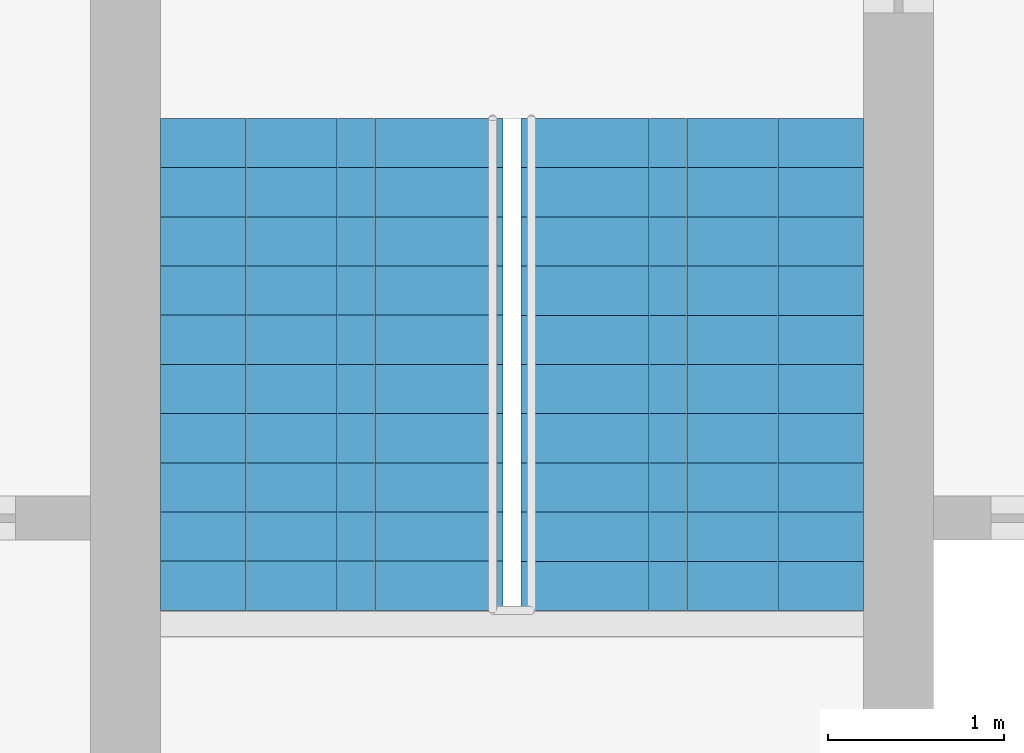
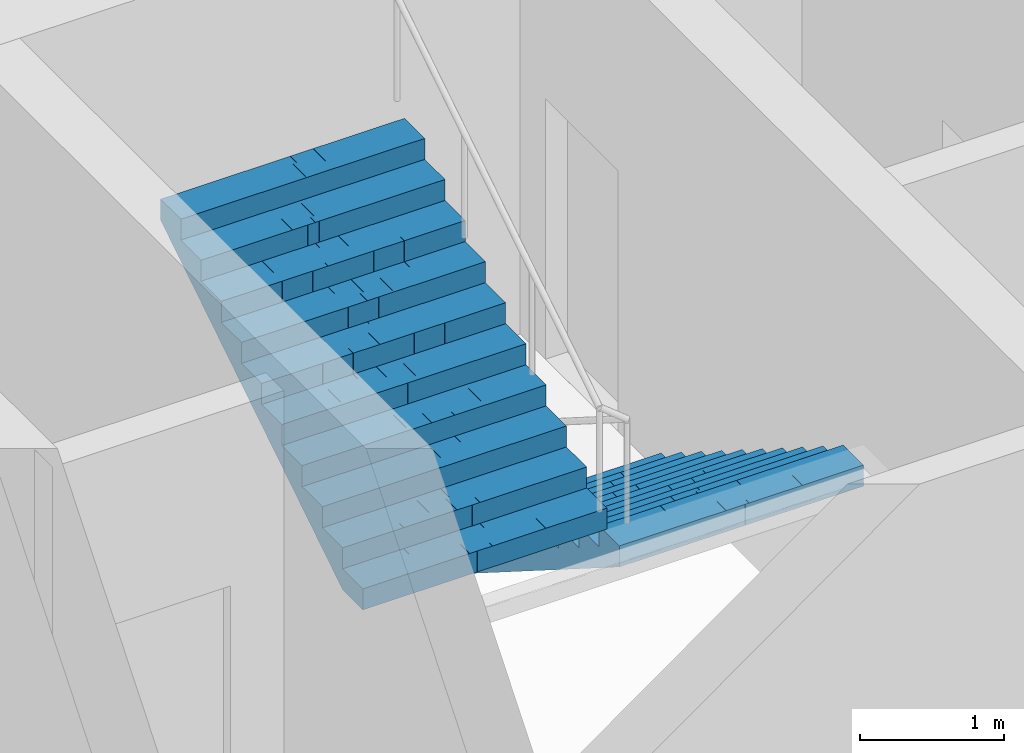
# One storey, part 21 of 22: 2 stair flights, 1 element without a shape of its own.
"""IFC4 building model written with IfcOpenShell, lengths in metres."""

from ifc_helpers import new_model, si_unit, direction, frame, origin, place, context, subcontext, project, spatial, polyline, outline, extrude, material, type_object, element, aggregate, save


model = new_model("IFC4")

# Units and contexts
model_context = context("Model", 3, precision=1e-05, world=origin(), true_north=direction((0.0, 1.0)))
body_context = subcontext(model_context, "Body", "Model", "MODEL_VIEW")
ifc_project = project(units=[si_unit("LENGTHUNIT", "METRE"), si_unit("AREAUNIT", "SQUARE_METRE"), si_unit("VOLUMEUNIT", "CUBIC_METRE"), si_unit("PLANEANGLEUNIT", "RADIAN"), si_unit("MASSUNIT", "GRAM", prefix="KILO")], contexts=[model_context])

# Site, building, storey
site_placement = place(None, origin())
site = spatial("IfcSite", under=ifc_project, at=site_placement, CompositionType="ELEMENT")
building_placement = place(site_placement, origin())
building = spatial("IfcBuilding", under=site, at=building_placement, Name="Mizan Broadcast Tower", CompositionType="ELEMENT")
storey_placement = place(building_placement, frame((0.0, 0.0, 86.39990234375)))
storey = spatial("IfcBuildingStorey", under=building, at=storey_placement, Name="L18", CompositionType="ELEMENT", Elevation=86.39990234375)

# Stair, stair flights
ifc_material_1 = material(Name="Concrete C40/50", Category="concrete")
stair_type = type_object("IfcStairType", Name="EXIT STAIR", PredefinedType="HALF_TURN_STAIR", material=ifc_material_1)
stair_placement = place(storey_placement, origin())
stair = element("IfcStair", 1, at=stair_placement, inside=storey, type_object=stair_type, Name="Stair B L18", PredefinedType="HALF_TURN_STAIR")
ifc_material_2 = material(Name="Concrete C40/50", Category="concrete")
stair_flight_type = type_object("IfcStairFlightType", Name="EXIT STAIR FLIGHT", PredefinedType="STRAIGHT", material=ifc_material_2)
stair_flight_1_placement = place(storey_placement, frame((1.02490234375, 7.89990234375, 0.0), z_axis=(0.0, 0.0, 1.0), x_axis=(0.0, -1.0, 0.0)))
stair_flight_1 = element("IfcStairFlight", 2, at=stair_flight_1_placement, type_object=stair_flight_type, Name="B flight 1", NumberOfRisers=11, NumberOfTreads=10, PredefinedType="STRAIGHT", RiserHeight=0.177272727, TreadLength=0.28, context=body_context, shape_type="SweptSolid", body=[
    extrude(outline(polyline([(0.0, 0.0), (0.0, 0.17724609375), (0.280029296875, 0.17724609375), (0.280029296875, 0.3544921875), (0.56005859375, 0.3544921875), (0.56005859375, 0.53173828125), (0.840087890625, 0.53173828125), (0.840087890625, 0.708984375), (1.1201171875, 0.708984375), (1.1201171875, 0.886474609375), (1.39990234375, 0.886474609375), (1.39990234375, 1.063720703125), (1.679931640625, 1.063720703125), (1.679931640625, 1.240966796875), (1.9599609375, 1.240966796875), (1.9599609375, 1.418212890625), (2.239990234375, 1.418212890625), (2.239990234375, 1.595458984375), (2.52001953125, 1.595458984375), (2.52001953125, 1.772705078125), (2.800048828125, 1.772705078125), (2.800048828125, 1.949951171875), (2.800048828125, 1.59521484375), (0.2802734375, 0.0), (0.0, 0.0)])), frame((0.0, 0.97509765625, 0.0), z_axis=(0.0, -1.0, 0.0), x_axis=(1.0, 0.0, 0.0)), (0.0, 0.0, 1.0), 0.4873046875),
    extrude(outline(polyline([(0.0, 0.0), (0.0, 0.17724609375), (0.280029296875, 0.17724609375), (0.280029296875, 0.3544921875), (0.56005859375, 0.3544921875), (0.56005859375, 0.53173828125), (0.840087890625, 0.53173828125), (0.840087890625, 0.708984375), (1.1201171875, 0.708984375), (1.1201171875, 0.886474609375), (1.39990234375, 0.886474609375), (1.39990234375, 1.063720703125), (1.679931640625, 1.063720703125), (1.679931640625, 1.240966796875), (1.9599609375, 1.240966796875), (1.9599609375, 1.418212890625), (2.239990234375, 1.418212890625), (2.239990234375, 1.595458984375), (2.52001953125, 1.595458984375), (2.52001953125, 1.772705078125), (2.800048828125, 1.772705078125), (2.800048828125, 1.949951171875), (2.800048828125, 1.59521484375), (0.2802734375, 0.0), (0.0, 0.0)])), frame((0.0, 0.4873046875, 0.0), z_axis=(0.0, -1.0, 0.0), x_axis=(1.0, 0.0, 0.0)), (0.0, 0.0, 1.0), 0.2431640625),
    extrude(outline(polyline([(0.0, 0.0), (0.0, 0.17724609375), (0.280029296875, 0.17724609375), (0.280029296875, 0.3544921875), (0.56005859375, 0.3544921875), (0.56005859375, 0.53173828125), (0.840087890625, 0.53173828125), (0.840087890625, 0.708984375), (1.1201171875, 0.708984375), (1.1201171875, 0.886474609375), (1.39990234375, 0.886474609375), (1.39990234375, 1.063720703125), (1.679931640625, 1.063720703125), (1.679931640625, 1.240966796875), (1.9599609375, 1.240966796875), (1.9599609375, 1.418212890625), (2.239990234375, 1.418212890625), (2.239990234375, 1.595458984375), (2.52001953125, 1.595458984375), (2.52001953125, 1.772705078125), (2.800048828125, 1.772705078125), (2.800048828125, 1.949951171875), (2.800048828125, 1.59521484375), (0.2802734375, 0.0), (0.0, 0.0)])), frame((0.0, 0.24365234375, 0.0), z_axis=(0.0, -1.0, 0.0), x_axis=(1.0, 0.0, 0.0)), (0.0, 0.0, 1.0), 0.121337890625),
    extrude(outline(polyline([(0.0, 0.0), (0.0, 0.17724609375), (0.280029296875, 0.17724609375), (0.280029296875, 0.3544921875), (0.56005859375, 0.3544921875), (0.56005859375, 0.53173828125), (0.840087890625, 0.53173828125), (0.840087890625, 0.708984375), (1.1201171875, 0.708984375), (1.1201171875, 0.886474609375), (1.39990234375, 0.886474609375), (1.39990234375, 1.063720703125), (1.679931640625, 1.063720703125), (1.679931640625, 1.240966796875), (1.9599609375, 1.240966796875), (1.9599609375, 1.418212890625), (2.239990234375, 1.418212890625), (2.239990234375, 1.595458984375), (2.52001953125, 1.595458984375), (2.52001953125, 1.772705078125), (2.800048828125, 1.772705078125), (2.800048828125, 1.949951171875), (2.800048828125, 1.59521484375), (0.2802734375, 0.0), (0.0, 0.0)])), frame((0.0, 0.121826171875, 0.0), z_axis=(0.0, -1.0, 0.0), x_axis=(1.0, 0.0, 0.0)), (0.0, 0.0, 1.0), 0.060546875),
    extrude(outline(polyline([(0.0, 0.0), (0.0, 0.17724609375), (0.280029296875, 0.17724609375), (0.280029296875, 0.3544921875), (0.56005859375, 0.3544921875), (0.56005859375, 0.53173828125), (0.840087890625, 0.53173828125), (0.840087890625, 0.708984375), (1.1201171875, 0.708984375), (1.1201171875, 0.886474609375), (1.39990234375, 0.886474609375), (1.39990234375, 1.063720703125), (1.679931640625, 1.063720703125), (1.679931640625, 1.240966796875), (1.9599609375, 1.240966796875), (1.9599609375, 1.418212890625), (2.239990234375, 1.418212890625), (2.239990234375, 1.595458984375), (2.52001953125, 1.595458984375), (2.52001953125, 1.772705078125), (2.800048828125, 1.772705078125), (2.800048828125, 1.949951171875), (2.800048828125, 1.59521484375), (0.2802734375, 0.0), (0.0, 0.0)])), frame((0.0, 0.060791015625, 0.0), z_axis=(0.0, -1.0, 0.0), x_axis=(1.0, 0.0, 0.0)), (0.0, 0.0, 1.0), 0.030029296875),
    extrude(outline(polyline([(0.0, 0.0), (0.0, 0.17724609375), (0.280029296875, 0.17724609375), (0.280029296875, 0.3544921875), (0.56005859375, 0.3544921875), (0.56005859375, 0.53173828125), (0.840087890625, 0.53173828125), (0.840087890625, 0.708984375), (1.1201171875, 0.708984375), (1.1201171875, 0.886474609375), (1.39990234375, 0.886474609375), (1.39990234375, 1.063720703125), (1.679931640625, 1.063720703125), (1.679931640625, 1.240966796875), (1.9599609375, 1.240966796875), (1.9599609375, 1.418212890625), (2.239990234375, 1.418212890625), (2.239990234375, 1.595458984375), (2.52001953125, 1.595458984375), (2.52001953125, 1.772705078125), (2.800048828125, 1.772705078125), (2.800048828125, 1.949951171875), (2.800048828125, 1.59521484375), (0.2802734375, 0.0), (0.0, 0.0)])), frame((0.0, 0.0302734375, 0.0), z_axis=(0.0, -1.0, 0.0), x_axis=(1.0, 0.0, 0.0)), (0.0, 0.0, 1.0), 0.060302734375),
    extrude(outline(polyline([(0.0, 0.0), (0.0, 0.17724609375), (0.280029296875, 0.17724609375), (0.280029296875, 0.3544921875), (0.56005859375, 0.3544921875), (0.56005859375, 0.53173828125), (0.840087890625, 0.53173828125), (0.840087890625, 0.708984375), (1.1201171875, 0.708984375), (1.1201171875, 0.886474609375), (1.39990234375, 0.886474609375), (1.39990234375, 1.063720703125), (1.679931640625, 1.063720703125), (1.679931640625, 1.240966796875), (1.9599609375, 1.240966796875), (1.9599609375, 1.418212890625), (2.239990234375, 1.418212890625), (2.239990234375, 1.595458984375), (2.52001953125, 1.595458984375), (2.52001953125, 1.772705078125), (2.800048828125, 1.772705078125), (2.800048828125, 1.949951171875), (2.800048828125, 1.59521484375), (0.2802734375, 0.0), (0.0, 0.0)])), frame((0.0, -0.030517578125, 0.0), z_axis=(0.0, -1.0, 0.0), x_axis=(1.0, 0.0, 0.0)), (0.0, 0.0, 1.0), 0.030029296875),
    extrude(outline(polyline([(0.0, 0.0), (0.0, 0.17724609375), (0.280029296875, 0.17724609375), (0.280029296875, 0.3544921875), (0.56005859375, 0.3544921875), (0.56005859375, 0.53173828125), (0.840087890625, 0.53173828125), (0.840087890625, 0.708984375), (1.1201171875, 0.708984375), (1.1201171875, 0.886474609375), (1.39990234375, 0.886474609375), (1.39990234375, 1.063720703125), (1.679931640625, 1.063720703125), (1.679931640625, 1.240966796875), (1.9599609375, 1.240966796875), (1.9599609375, 1.418212890625), (2.239990234375, 1.418212890625), (2.239990234375, 1.595458984375), (2.52001953125, 1.595458984375), (2.52001953125, 1.772705078125), (2.800048828125, 1.772705078125), (2.800048828125, 1.949951171875), (2.800048828125, 1.59521484375), (0.2802734375, 0.0), (0.0, 0.0)])), frame((0.0, -0.06103515625, 0.0), z_axis=(0.0, -1.0, 0.0), x_axis=(1.0, 0.0, 0.0)), (0.0, 0.0, 1.0), 0.060546875),
    extrude(outline(polyline([(0.0, 0.0), (0.0, 0.17724609375), (0.280029296875, 0.17724609375), (0.280029296875, 0.3544921875), (0.56005859375, 0.3544921875), (0.56005859375, 0.53173828125), (0.840087890625, 0.53173828125), (0.840087890625, 0.708984375), (1.1201171875, 0.708984375), (1.1201171875, 0.886474609375), (1.39990234375, 0.886474609375), (1.39990234375, 1.063720703125), (1.679931640625, 1.063720703125), (1.679931640625, 1.240966796875), (1.9599609375, 1.240966796875), (1.9599609375, 1.418212890625), (2.239990234375, 1.418212890625), (2.239990234375, 1.595458984375), (2.52001953125, 1.595458984375), (2.52001953125, 1.772705078125), (2.800048828125, 1.772705078125), (2.800048828125, 1.949951171875), (2.800048828125, 1.59521484375), (0.2802734375, 0.0), (0.0, 0.0)])), frame((0.0, -0.1220703125, 0.0), z_axis=(0.0, -1.0, 0.0), x_axis=(1.0, 0.0, 0.0)), (0.0, 0.0, 1.0), 0.121337890625),
    extrude(outline(polyline([(0.0, 0.0), (0.0, 0.17724609375), (0.280029296875, 0.17724609375), (0.280029296875, 0.3544921875), (0.56005859375, 0.3544921875), (0.56005859375, 0.53173828125), (0.840087890625, 0.53173828125), (0.840087890625, 0.708984375), (1.1201171875, 0.708984375), (1.1201171875, 0.886474609375), (1.39990234375, 0.886474609375), (1.39990234375, 1.063720703125), (1.679931640625, 1.063720703125), (1.679931640625, 1.240966796875), (1.9599609375, 1.240966796875), (1.9599609375, 1.418212890625), (2.239990234375, 1.418212890625), (2.239990234375, 1.595458984375), (2.52001953125, 1.595458984375), (2.52001953125, 1.772705078125), (2.800048828125, 1.772705078125), (2.800048828125, 1.949951171875), (2.800048828125, 1.59521484375), (0.2802734375, 0.0), (0.0, 0.0)])), frame((0.0, -0.243896484375, 0.0), z_axis=(0.0, -1.0, 0.0), x_axis=(1.0, 0.0, 0.0)), (0.0, 0.0, 1.0), 0.2431640625),
    extrude(outline(polyline([(0.0, 0.0), (0.0, 0.17724609375), (0.280029296875, 0.17724609375), (0.280029296875, 0.3544921875), (0.56005859375, 0.3544921875), (0.56005859375, 0.53173828125), (0.840087890625, 0.53173828125), (0.840087890625, 0.708984375), (1.1201171875, 0.708984375), (1.1201171875, 0.886474609375), (1.39990234375, 0.886474609375), (1.39990234375, 1.063720703125), (1.679931640625, 1.063720703125), (1.679931640625, 1.240966796875), (1.9599609375, 1.240966796875), (1.9599609375, 1.418212890625), (2.239990234375, 1.418212890625), (2.239990234375, 1.595458984375), (2.52001953125, 1.595458984375), (2.52001953125, 1.772705078125), (2.800048828125, 1.772705078125), (2.800048828125, 1.949951171875), (2.800048828125, 1.59521484375), (0.2802734375, 0.0), (0.0, 0.0)])), frame((0.0, -0.487548828125, 0.0), z_axis=(0.0, -1.0, 0.0), x_axis=(1.0, 0.0, 0.0)), (0.0, 0.0, 1.0), 0.4873046875),
])
stair_flight_2_placement = place(storey_placement, frame((-1.02490234375, 5.10009765625, 1.9501953125), z_axis=(0.0, 0.0, 1.0), x_axis=(0.0, 1.0, 0.0)))
stair_flight_2 = element("IfcStairFlight", 3, at=stair_flight_2_placement, type_object=stair_flight_type, Name="B flight 2", NumberOfRisers=11, NumberOfTreads=10, PredefinedType="STRAIGHT", RiserHeight=0.177272727, TreadLength=0.28, context=body_context, shape_type="SweptSolid", body=[
    extrude(outline(polyline([(0.0, 0.0), (0.0, 0.17724609375), (0.280029296875, 0.17724609375), (0.280029296875, 0.3544921875), (0.56005859375, 0.3544921875), (0.56005859375, 0.53173828125), (0.840087890625, 0.53173828125), (0.840087890625, 0.708984375), (1.1201171875, 0.708984375), (1.1201171875, 0.886474609375), (1.39990234375, 0.886474609375), (1.39990234375, 1.063720703125), (1.679931640625, 1.063720703125), (1.679931640625, 1.240966796875), (1.9599609375, 1.240966796875), (1.9599609375, 1.418212890625), (2.239990234375, 1.418212890625), (2.239990234375, 1.595458984375), (2.52001953125, 1.595458984375), (2.52001953125, 1.772705078125), (2.800048828125, 1.772705078125), (2.800048828125, 1.949951171875), (2.800048828125, 1.59521484375), (0.2802734375, 0.0), (0.0, 0.0)])), frame((0.0, 0.97509765625, 0.0), z_axis=(0.0, -1.0, 0.0), x_axis=(1.0, 0.0, 0.0)), (0.0, 0.0, 1.0), 0.4873046875),
    extrude(outline(polyline([(0.0, 0.0), (0.0, 0.17724609375), (0.280029296875, 0.17724609375), (0.280029296875, 0.3544921875), (0.56005859375, 0.3544921875), (0.56005859375, 0.53173828125), (0.840087890625, 0.53173828125), (0.840087890625, 0.708984375), (1.1201171875, 0.708984375), (1.1201171875, 0.886474609375), (1.39990234375, 0.886474609375), (1.39990234375, 1.063720703125), (1.679931640625, 1.063720703125), (1.679931640625, 1.240966796875), (1.9599609375, 1.240966796875), (1.9599609375, 1.418212890625), (2.239990234375, 1.418212890625), (2.239990234375, 1.595458984375), (2.52001953125, 1.595458984375), (2.52001953125, 1.772705078125), (2.800048828125, 1.772705078125), (2.800048828125, 1.949951171875), (2.800048828125, 1.59521484375), (0.2802734375, 0.0), (0.0, 0.0)])), frame((0.0, 0.4873046875, 0.0), z_axis=(0.0, -1.0, 0.0), x_axis=(1.0, 0.0, 0.0)), (0.0, 0.0, 1.0), 0.2431640625),
    extrude(outline(polyline([(0.0, 0.0), (0.0, 0.17724609375), (0.280029296875, 0.17724609375), (0.280029296875, 0.3544921875), (0.56005859375, 0.3544921875), (0.56005859375, 0.53173828125), (0.840087890625, 0.53173828125), (0.840087890625, 0.708984375), (1.1201171875, 0.708984375), (1.1201171875, 0.886474609375), (1.39990234375, 0.886474609375), (1.39990234375, 1.063720703125), (1.679931640625, 1.063720703125), (1.679931640625, 1.240966796875), (1.9599609375, 1.240966796875), (1.9599609375, 1.418212890625), (2.239990234375, 1.418212890625), (2.239990234375, 1.595458984375), (2.52001953125, 1.595458984375), (2.52001953125, 1.772705078125), (2.800048828125, 1.772705078125), (2.800048828125, 1.949951171875), (2.800048828125, 1.59521484375), (0.2802734375, 0.0), (0.0, 0.0)])), frame((0.0, 0.24365234375, 0.0), z_axis=(0.0, -1.0, 0.0), x_axis=(1.0, 0.0, 0.0)), (0.0, 0.0, 1.0), 0.121337890625),
    extrude(outline(polyline([(0.0, 0.0), (0.0, 0.17724609375), (0.280029296875, 0.17724609375), (0.280029296875, 0.3544921875), (0.56005859375, 0.3544921875), (0.56005859375, 0.53173828125), (0.840087890625, 0.53173828125), (0.840087890625, 0.708984375), (1.1201171875, 0.708984375), (1.1201171875, 0.886474609375), (1.39990234375, 0.886474609375), (1.39990234375, 1.063720703125), (1.679931640625, 1.063720703125), (1.679931640625, 1.240966796875), (1.9599609375, 1.240966796875), (1.9599609375, 1.418212890625), (2.239990234375, 1.418212890625), (2.239990234375, 1.595458984375), (2.52001953125, 1.595458984375), (2.52001953125, 1.772705078125), (2.800048828125, 1.772705078125), (2.800048828125, 1.949951171875), (2.800048828125, 1.59521484375), (0.2802734375, 0.0), (0.0, 0.0)])), frame((0.0, 0.121826171875, 0.0), z_axis=(0.0, -1.0, 0.0), x_axis=(1.0, 0.0, 0.0)), (0.0, 0.0, 1.0), 0.060546875),
    extrude(outline(polyline([(0.0, 0.0), (0.0, 0.17724609375), (0.280029296875, 0.17724609375), (0.280029296875, 0.3544921875), (0.56005859375, 0.3544921875), (0.56005859375, 0.53173828125), (0.840087890625, 0.53173828125), (0.840087890625, 0.708984375), (1.1201171875, 0.708984375), (1.1201171875, 0.886474609375), (1.39990234375, 0.886474609375), (1.39990234375, 1.063720703125), (1.679931640625, 1.063720703125), (1.679931640625, 1.240966796875), (1.9599609375, 1.240966796875), (1.9599609375, 1.418212890625), (2.239990234375, 1.418212890625), (2.239990234375, 1.595458984375), (2.52001953125, 1.595458984375), (2.52001953125, 1.772705078125), (2.800048828125, 1.772705078125), (2.800048828125, 1.949951171875), (2.800048828125, 1.59521484375), (0.2802734375, 0.0), (0.0, 0.0)])), frame((0.0, 0.060791015625, 0.0), z_axis=(0.0, -1.0, 0.0), x_axis=(1.0, 0.0, 0.0)), (0.0, 0.0, 1.0), 0.030029296875),
    extrude(outline(polyline([(0.0, 0.0), (0.0, 0.17724609375), (0.280029296875, 0.17724609375), (0.280029296875, 0.3544921875), (0.56005859375, 0.3544921875), (0.56005859375, 0.53173828125), (0.840087890625, 0.53173828125), (0.840087890625, 0.708984375), (1.1201171875, 0.708984375), (1.1201171875, 0.886474609375), (1.39990234375, 0.886474609375), (1.39990234375, 1.063720703125), (1.679931640625, 1.063720703125), (1.679931640625, 1.240966796875), (1.9599609375, 1.240966796875), (1.9599609375, 1.418212890625), (2.239990234375, 1.418212890625), (2.239990234375, 1.595458984375), (2.52001953125, 1.595458984375), (2.52001953125, 1.772705078125), (2.800048828125, 1.772705078125), (2.800048828125, 1.949951171875), (2.800048828125, 1.59521484375), (0.2802734375, 0.0), (0.0, 0.0)])), frame((0.0, 0.0302734375, 0.0), z_axis=(0.0, -1.0, 0.0), x_axis=(1.0, 0.0, 0.0)), (0.0, 0.0, 1.0), 0.060302734375),
    extrude(outline(polyline([(0.0, 0.0), (0.0, 0.17724609375), (0.280029296875, 0.17724609375), (0.280029296875, 0.3544921875), (0.56005859375, 0.3544921875), (0.56005859375, 0.53173828125), (0.840087890625, 0.53173828125), (0.840087890625, 0.708984375), (1.1201171875, 0.708984375), (1.1201171875, 0.886474609375), (1.39990234375, 0.886474609375), (1.39990234375, 1.063720703125), (1.679931640625, 1.063720703125), (1.679931640625, 1.240966796875), (1.9599609375, 1.240966796875), (1.9599609375, 1.418212890625), (2.239990234375, 1.418212890625), (2.239990234375, 1.595458984375), (2.52001953125, 1.595458984375), (2.52001953125, 1.772705078125), (2.800048828125, 1.772705078125), (2.800048828125, 1.949951171875), (2.800048828125, 1.59521484375), (0.2802734375, 0.0), (0.0, 0.0)])), frame((0.0, -0.030517578125, 0.0), z_axis=(0.0, -1.0, 0.0), x_axis=(1.0, 0.0, 0.0)), (0.0, 0.0, 1.0), 0.030029296875),
    extrude(outline(polyline([(0.0, 0.0), (0.0, 0.17724609375), (0.280029296875, 0.17724609375), (0.280029296875, 0.3544921875), (0.56005859375, 0.3544921875), (0.56005859375, 0.53173828125), (0.840087890625, 0.53173828125), (0.840087890625, 0.708984375), (1.1201171875, 0.708984375), (1.1201171875, 0.886474609375), (1.39990234375, 0.886474609375), (1.39990234375, 1.063720703125), (1.679931640625, 1.063720703125), (1.679931640625, 1.240966796875), (1.9599609375, 1.240966796875), (1.9599609375, 1.418212890625), (2.239990234375, 1.418212890625), (2.239990234375, 1.595458984375), (2.52001953125, 1.595458984375), (2.52001953125, 1.772705078125), (2.800048828125, 1.772705078125), (2.800048828125, 1.949951171875), (2.800048828125, 1.59521484375), (0.2802734375, 0.0), (0.0, 0.0)])), frame((0.0, -0.06103515625, 0.0), z_axis=(0.0, -1.0, 0.0), x_axis=(1.0, 0.0, 0.0)), (0.0, 0.0, 1.0), 0.060546875),
    extrude(outline(polyline([(0.0, 0.0), (0.0, 0.17724609375), (0.280029296875, 0.17724609375), (0.280029296875, 0.3544921875), (0.56005859375, 0.3544921875), (0.56005859375, 0.53173828125), (0.840087890625, 0.53173828125), (0.840087890625, 0.708984375), (1.1201171875, 0.708984375), (1.1201171875, 0.886474609375), (1.39990234375, 0.886474609375), (1.39990234375, 1.063720703125), (1.679931640625, 1.063720703125), (1.679931640625, 1.240966796875), (1.9599609375, 1.240966796875), (1.9599609375, 1.418212890625), (2.239990234375, 1.418212890625), (2.239990234375, 1.595458984375), (2.52001953125, 1.595458984375), (2.52001953125, 1.772705078125), (2.800048828125, 1.772705078125), (2.800048828125, 1.949951171875), (2.800048828125, 1.59521484375), (0.2802734375, 0.0), (0.0, 0.0)])), frame((0.0, -0.1220703125, 0.0), z_axis=(0.0, -1.0, 0.0), x_axis=(1.0, 0.0, 0.0)), (0.0, 0.0, 1.0), 0.121337890625),
    extrude(outline(polyline([(0.0, 0.0), (0.0, 0.17724609375), (0.280029296875, 0.17724609375), (0.280029296875, 0.3544921875), (0.56005859375, 0.3544921875), (0.56005859375, 0.53173828125), (0.840087890625, 0.53173828125), (0.840087890625, 0.708984375), (1.1201171875, 0.708984375), (1.1201171875, 0.886474609375), (1.39990234375, 0.886474609375), (1.39990234375, 1.063720703125), (1.679931640625, 1.063720703125), (1.679931640625, 1.240966796875), (1.9599609375, 1.240966796875), (1.9599609375, 1.418212890625), (2.239990234375, 1.418212890625), (2.239990234375, 1.595458984375), (2.52001953125, 1.595458984375), (2.52001953125, 1.772705078125), (2.800048828125, 1.772705078125), (2.800048828125, 1.949951171875), (2.800048828125, 1.59521484375), (0.2802734375, 0.0), (0.0, 0.0)])), frame((0.0, -0.243896484375, 0.0), z_axis=(0.0, -1.0, 0.0), x_axis=(1.0, 0.0, 0.0)), (0.0, 0.0, 1.0), 0.2431640625),
    extrude(outline(polyline([(0.0, 0.0), (0.0, 0.17724609375), (0.280029296875, 0.17724609375), (0.280029296875, 0.3544921875), (0.56005859375, 0.3544921875), (0.56005859375, 0.53173828125), (0.840087890625, 0.53173828125), (0.840087890625, 0.708984375), (1.1201171875, 0.708984375), (1.1201171875, 0.886474609375), (1.39990234375, 0.886474609375), (1.39990234375, 1.063720703125), (1.679931640625, 1.063720703125), (1.679931640625, 1.240966796875), (1.9599609375, 1.240966796875), (1.9599609375, 1.418212890625), (2.239990234375, 1.418212890625), (2.239990234375, 1.595458984375), (2.52001953125, 1.595458984375), (2.52001953125, 1.772705078125), (2.800048828125, 1.772705078125), (2.800048828125, 1.949951171875), (2.800048828125, 1.59521484375), (0.2802734375, 0.0), (0.0, 0.0)])), frame((0.0, -0.487548828125, 0.0), z_axis=(0.0, -1.0, 0.0), x_axis=(1.0, 0.0, 0.0)), (0.0, 0.0, 1.0), 0.4873046875),
])
aggregate(stair, [stair_flight_1, stair_flight_2])

save(model, "model.ifc")
